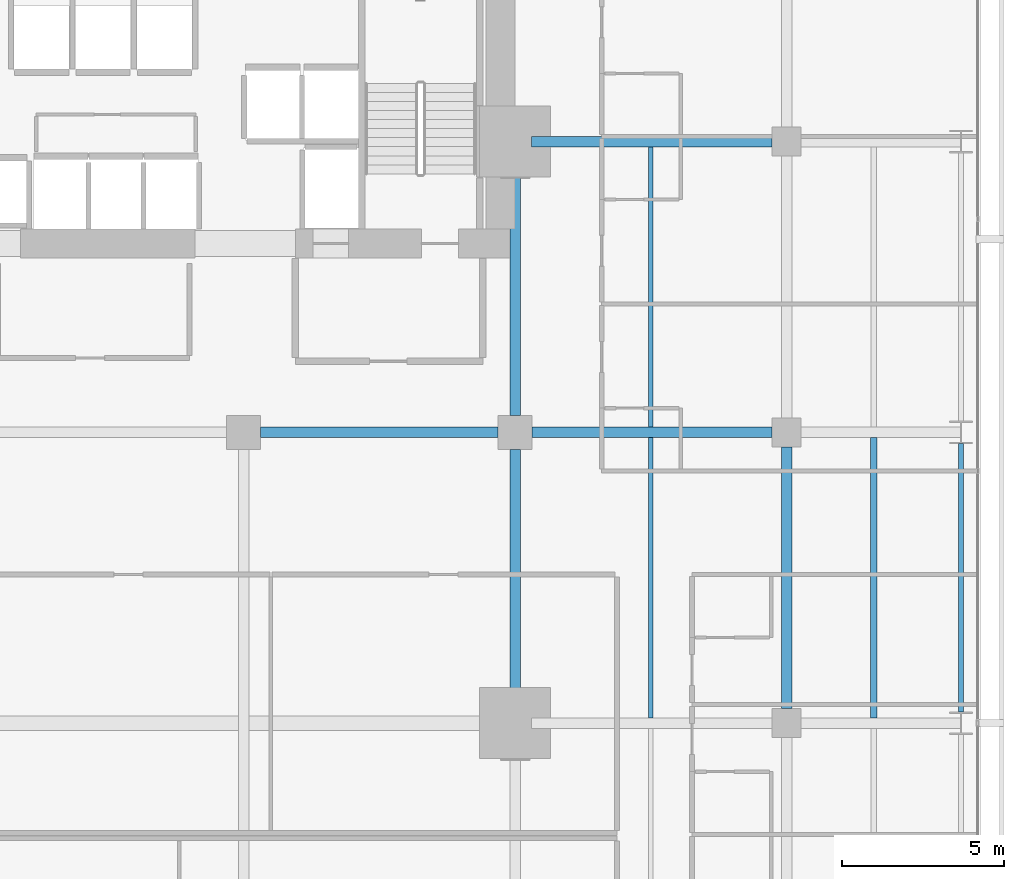
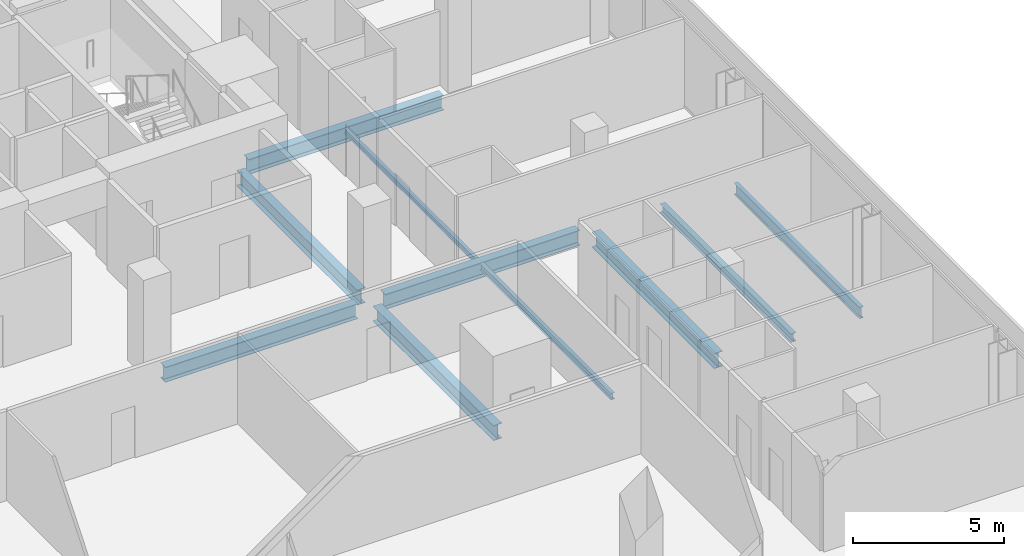
# One storey, part 27 of 40: 10 beams.
"""IFC4 building model written with IfcOpenShell, lengths in metres."""

from ifc_helpers import new_model, si_unit, direction, frame, origin, origin_2d, place, context, subcontext, project, spatial, i_section, extrude, material, material_profile, profile_set, type_object, element, save


model = new_model("IFC4")

# Units and contexts
model_context = context("Model", 3, precision=1e-05, world=origin(), true_north=direction((0.0, 1.0)))
body_context = subcontext(model_context, "Body", "Model", "MODEL_VIEW")
ifc_project = project(units=[si_unit("LENGTHUNIT", "METRE"), si_unit("AREAUNIT", "SQUARE_METRE"), si_unit("VOLUMEUNIT", "CUBIC_METRE"), si_unit("PLANEANGLEUNIT", "RADIAN"), si_unit("MASSUNIT", "GRAM", prefix="KILO")], contexts=[model_context])

# Site, building, storey
site_placement = place(None, origin())
site = spatial("IfcSite", under=ifc_project, at=site_placement, CompositionType="ELEMENT")
building_placement = place(site_placement, origin())
building = spatial("IfcBuilding", under=site, at=building_placement, Name="Maruvema Waterfront Hotel and Observation Tower", CompositionType="ELEMENT")
storey_placement = place(building_placement, frame((0.0, 0.0, 77.0)))
storey = spatial("IfcBuildingStorey", under=building, at=storey_placement, Name="L18", CompositionType="ELEMENT", Elevation=77.0)

# Beams
ifc_material_1 = material(Name="Steel ASTM A572 Grade 50", Category="steel")
ifc_material_profile_1 = material_profile(ifc_material_1, i_section(OverallWidth=0.153076171875, OverallDepth=0.455078125, WebThickness=0.008056640625, FlangeThickness=0.01318359375, FilletRadius=0.014892578125, at=origin_2d()), Name="W460x60.0")
ifc_profile_set_1 = profile_set([ifc_material_profile_1], Name="Steel ASTM A572 Grade 50")
beam_type_1 = type_object("IfcBeamType", Name="Perimeter Spandrel Beam W460x60.0", PredefinedType="SPANDREL", material=ifc_profile_set_1)
beam_1_placement = place(storey_placement, frame((64.199951171875, 27.35009765625, -0.467529296875), z_axis=(0.0, 1.0, 0.0), x_axis=(-1.0, 0.0, 0.0)))
element("IfcBeam", 1, at=beam_1_placement, inside=storey, type_object=beam_type_1, Name="L18 Floor Girder NS-35", PredefinedType="SPANDREL", context=body_context, shape_type="SweptSolid", body=[
    extrude(i_section(OverallWidth=0.153076171875, OverallDepth=0.455078125, WebThickness=0.008056640625, FlangeThickness=0.01318359375, FilletRadius=0.014892578125, at=origin_2d()), origin(), (0.0, 0.0, 1.0), 8.2998046875),
])
ifc_material_2 = material(Name="Steel ASTM A572 Grade 50", Category="steel")
ifc_material_profile_2 = material_profile(ifc_material_2, i_section(OverallWidth=0.323974609375, OverallDepth=0.611083984375, WebThickness=0.0126953125, FlangeThickness=0.01904296875, FilletRadius=0.01806640625, at=origin_2d()), Name="W610x155.0")
ifc_profile_set_2 = profile_set([ifc_material_profile_2], Name="Steel ASTM A572 Grade 50")
beam_type_2 = type_object("IfcBeamType", Name="Primary Floor Girder W610x155.0", PredefinedType="BEAM", material=ifc_profile_set_2)
beam_2_placement = place(storey_placement, frame((42.52490234375, 36.0, -0.54541015625), z_axis=(1.0, 0.0, 0.0), x_axis=(0.0, 1.0, 0.0)))
element("IfcBeam", 2, at=beam_2_placement, inside=storey, type_object=beam_type_2, Name="L18 Floor Girder EW-29", PredefinedType="BEAM", context=body_context, shape_type="SweptSolid", body=[
    extrude(i_section(OverallWidth=0.323974609375, OverallDepth=0.611083984375, WebThickness=0.0126953125, FlangeThickness=0.01904296875, FilletRadius=0.01806640625, at=origin_2d()), origin(), (0.0, 0.0, 1.0), 7.35009765625),
])
beam_3_placement = place(storey_placement, frame((50.925048828125, 36.0, -0.54541015625), z_axis=(1.0, 0.0, 0.0), x_axis=(0.0, 1.0, 0.0)))
element("IfcBeam", 3, at=beam_3_placement, inside=storey, type_object=beam_type_2, Name="L18 Floor Girder EW-30", PredefinedType="BEAM", context=body_context, shape_type="SweptSolid", body=[
    extrude(i_section(OverallWidth=0.323974609375, OverallDepth=0.611083984375, WebThickness=0.0126953125, FlangeThickness=0.01904296875, FilletRadius=0.01806640625, at=origin_2d()), origin(), (0.0, 0.0, 1.0), 7.425048828125),
])
beam_4_placement = place(storey_placement, frame((50.89990234375, 45.0, -0.54541015625), z_axis=(1.0, 0.0, 0.0), x_axis=(0.0, 1.0, 0.0)))
element("IfcBeam", 4, at=beam_4_placement, inside=storey, type_object=beam_type_2, Name="L18 Floor Girder EW-34", PredefinedType="BEAM", context=body_context, shape_type="SweptSolid", body=[
    extrude(i_section(OverallWidth=0.323974609375, OverallDepth=0.611083984375, WebThickness=0.0126953125, FlangeThickness=0.01904296875, FilletRadius=0.01806640625, at=origin_2d()), origin(), (0.0, 0.0, 1.0), 7.4501953125),
])
for number, where, z_axis, x_axis, name in (
    (5, (50.39990234375, 27.5, -0.54541015625), (0.0, 1.0, 0.0), (-1.0, 0.0, 0.0), "L18 Floor Girder NS-25"),
    (6, (50.39990234375, 36.52490234375, -0.54541015625), (0.0, 1.0, 0.0), (-1.0, 0.0, 0.0), "L18 Floor Girder NS-26"),
):
    element("IfcBeam", number, at=place(storey_placement, frame(where, z_axis=z_axis, x_axis=x_axis)), inside=storey, type_object=beam_type_2, Name=name, PredefinedType="BEAM", context=body_context, shape_type="SweptSolid", body=[
        extrude(i_section(OverallWidth=0.323974609375, OverallDepth=0.611083984375, WebThickness=0.0126953125, FlangeThickness=0.01904296875, FilletRadius=0.01806640625, at=origin_2d()), origin(), (0.0, 0.0, 1.0), 7.97509765625),
    ])
beam_5_placement = place(storey_placement, frame((58.800048828125, 27.449951171875, -0.54541015625), z_axis=(0.0, 1.0, 0.0), x_axis=(-1.0, 0.0, 0.0)))
element("IfcBeam", 7, at=beam_5_placement, inside=storey, type_object=beam_type_2, Name="L18 Floor Girder NS-30", PredefinedType="BEAM", context=body_context, shape_type="SweptSolid", body=[
    extrude(i_section(OverallWidth=0.323974609375, OverallDepth=0.611083984375, WebThickness=0.0126953125, FlangeThickness=0.01904296875, FilletRadius=0.01806640625, at=origin_2d()), origin(), (0.0, 0.0, 1.0), 8.10009765625),
])
ifc_material_3 = material(Name="Steel ASTM A572 Grade 50", Category="steel")
ifc_material_profile_3 = material_profile(ifc_material_3, i_section(OverallWidth=0.133056640625, OverallDepth=0.20703125, WebThickness=0.005859375, FlangeThickness=0.00830078125, FilletRadius=0.010009765625, at=origin_2d()), Name="W200x26.6")
ifc_profile_set_3 = profile_set([ifc_material_profile_3], Name="Steel ASTM A572 Grade 50")
beam_type_3 = type_object("IfcBeamType", Name="Secondary Floor Joist W200x26.6", PredefinedType="JOIST", material=ifc_profile_set_3)
beam_6_placement = place(storey_placement, frame((54.60009765625, 36.162109375, -0.343505859375), z_axis=(0.0, 1.0, 0.0), x_axis=(-1.0, 0.0, 0.0)))
element("IfcBeam", 8, at=beam_6_placement, inside=storey, type_object=beam_type_3, Name="L18 Secondary Floor Joist JS-20", PredefinedType="JOIST", context=body_context, shape_type="SweptSolid", body=[
    extrude(i_section(OverallWidth=0.133056640625, OverallDepth=0.20703125, WebThickness=0.005859375, FlangeThickness=0.00830078125, FilletRadius=0.010009765625, at=origin_2d()), origin(), (0.0, 0.0, 1.0), 8.67578125),
])
ifc_material_4 = material(Name="Steel ASTM A572 Grade 50", Category="steel")
ifc_material_profile_4 = material_profile(ifc_material_4, i_section(OverallWidth=0.14599609375, OverallDepth=0.258056640625, WebThickness=0.006103515625, FlangeThickness=0.009033203125, FilletRadius=0.012939453125, at=origin_2d()), Name="W250x32.7")
ifc_profile_set_4 = profile_set([ifc_material_profile_4], Name="Steel ASTM A572 Grade 50")
beam_type_4 = type_object("IfcBeamType", Name="Secondary Floor Joist W250x32.7", PredefinedType="JOIST", material=ifc_profile_set_4)
beam_7_placement = place(storey_placement, frame((54.60009765625, 27.162109375, -0.368896484375), z_axis=(0.0, 1.0, 0.0), x_axis=(-1.0, 0.0, 0.0)))
element("IfcBeam", 9, at=beam_7_placement, inside=storey, type_object=beam_type_4, Name="L18 Secondary Floor Joist JS-19", PredefinedType="JOIST", context=body_context, shape_type="SweptSolid", body=[
    extrude(i_section(OverallWidth=0.14599609375, OverallDepth=0.258056640625, WebThickness=0.006103515625, FlangeThickness=0.009033203125, FilletRadius=0.012939453125, at=origin_2d()), origin(), (0.0, 0.0, 1.0), 8.67578125),
])
ifc_material_5 = material(Name="Steel ASTM A572 Grade 50", Category="steel")
ifc_material_profile_5 = material_profile(ifc_material_5, i_section(OverallWidth=0.202880859375, OverallDepth=0.346923828125, WebThickness=0.0078125, FlangeThickness=0.013427734375, FilletRadius=0.014892578125, at=origin_2d()), Name="W360x64.0")
ifc_profile_set_5 = profile_set([ifc_material_profile_5], Name="Steel ASTM A572 Grade 50")
beam_type_5 = type_object("IfcBeamType", Name="Secondary Floor Joist W360x64.0", PredefinedType="JOIST", material=ifc_profile_set_5)
beam_8_placement = place(storey_placement, frame((61.5, 27.162109375, -0.41357421875), z_axis=(0.0, 1.0, 0.0), x_axis=(-1.0, 0.0, 0.0)))
element("IfcBeam", 10, at=beam_8_placement, inside=storey, type_object=beam_type_5, Name="L18 Secondary Floor Joist JS-23", PredefinedType="JOIST", context=body_context, shape_type="SweptSolid", body=[
    extrude(i_section(OverallWidth=0.202880859375, OverallDepth=0.346923828125, WebThickness=0.0078125, FlangeThickness=0.013427734375, FilletRadius=0.014892578125, at=origin_2d()), origin(), (0.0, 0.0, 1.0), 8.67578125),
])

save(model, "model.ifc")
